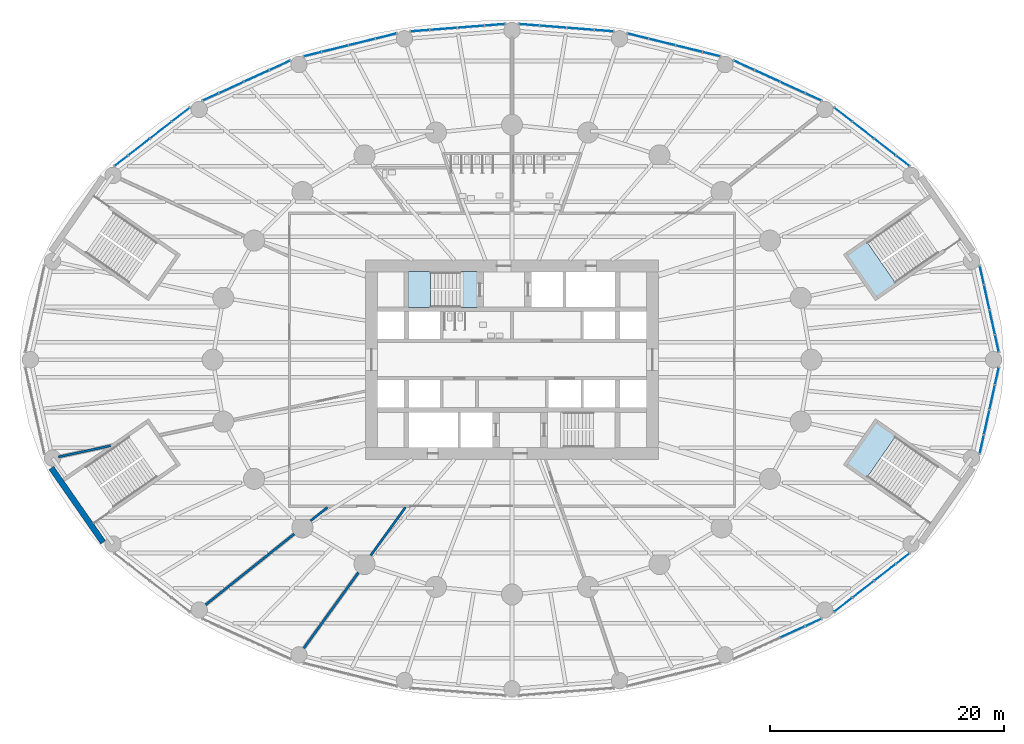
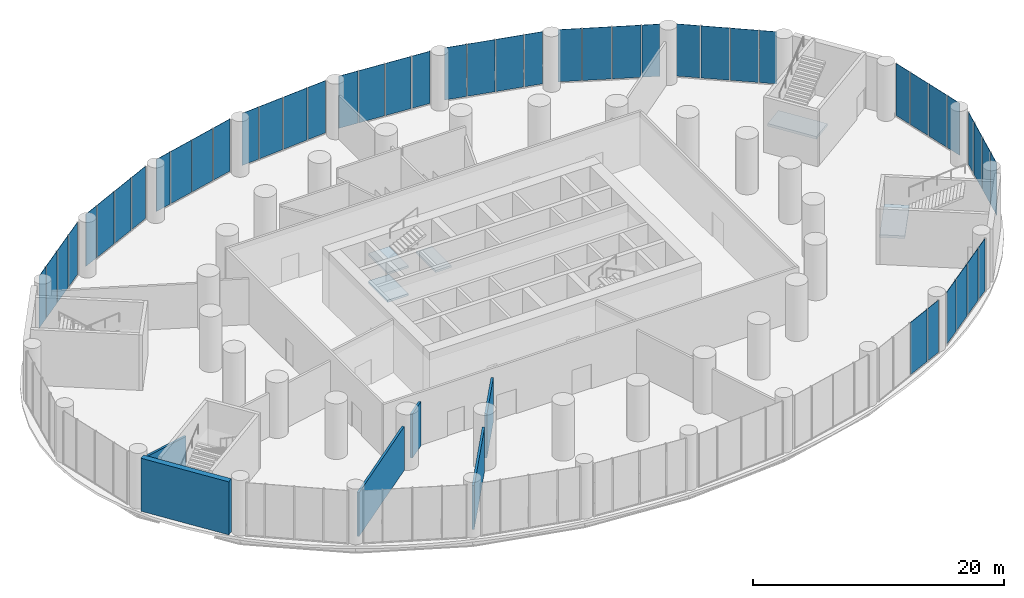
# One storey, part 15 of 21: 46 plates, 6 walls, 5 slabs, 15 elements without a shape of their own.
"""IFC4 building model written with IfcOpenShell, lengths in metres."""

from ifc_helpers import new_model, si_unit, direction, frame, frame_2d, origin, origin_2d, place, context, subcontext, project, spatial, polyline, rectangle, outline, extrude, material, layer, layer_set, type_object, element, aggregate, save


model = new_model("IFC4")

# Units and contexts
model_context = context("Model", 3, precision=1e-05, world=origin(), true_north=direction((0.0, 1.0)))
body_context = subcontext(model_context, "Body", "Model", "MODEL_VIEW")
ifc_project = project(units=[si_unit("LENGTHUNIT", "METRE"), si_unit("AREAUNIT", "SQUARE_METRE"), si_unit("VOLUMEUNIT", "CUBIC_METRE"), si_unit("PLANEANGLEUNIT", "RADIAN"), si_unit("MASSUNIT", "GRAM", prefix="KILO")], contexts=[model_context])

# Site, building, storey
site_placement = place(None, origin())
site = spatial("IfcSite", under=ifc_project, at=site_placement, CompositionType="ELEMENT")
building_placement = place(site_placement, origin())
building = spatial("IfcBuilding", under=site, at=building_placement, Name="Hankou Lantern Tower", CompositionType="ELEMENT")
storey_placement = place(building_placement, frame((0.0, 0.0, 13.800048828125)))
storey = spatial("IfcBuildingStorey", under=building, at=storey_placement, Name="L02", CompositionType="ELEMENT", Elevation=13.800048828125)

# Curtain wall, plates
ifc_material_1 = material(Name="Glass, dark grey tinted laminated", Category="glass")
curtain_wall_type = type_object("IfcCurtainWallType", Name="CWP PODIUM CURTAIN WALL", PredefinedType="USERDEFINED", material=ifc_material_1)
curtain_wall_1_placement = place(storey_placement, origin())
curtain_wall_1 = element("IfcCurtainWall", 1, at=curtain_wall_1_placement, inside=storey, type_object=curtain_wall_type, Name="CWP L02 PC01", ObjectType="PODIUM GLAZING", PredefinedType="USERDEFINED")
ifc_material_2 = material(Name="Glass, dark grey tinted laminated", Category="glass")
ifc_layer_1 = layer(ifc_material_2, 0.037109375)
ifc_layer_set_1 = layer_set([ifc_layer_1], Name="Glass, dark grey tinted laminated")
plate_type = type_object("IfcPlateType", Name="PN2 PODIUM GLASS PANEL", PredefinedType="CURTAIN_PANEL", material=ifc_layer_set_1)
plate_1_placement = place(storey_placement, frame((33.356689453125, 16.977294921875, 0.080078125), z_axis=(0.0, 0.0, 1.0), x_axis=(-0.790129760642, 0.612939606608, 0.0)))
plate_1 = element("IfcPlate", 2, at=plate_1_placement, type_object=plate_type, Name="CWP glass panel 1", PredefinedType="CURTAIN_PANEL", context=body_context, shape_type="SweptSolid", body=[
    extrude(rectangle(XDim=1.409423828125, YDim=0.031982421875, at=origin_2d()), origin(), (0.0, 0.0, 1.0), 5.070068359375),
])
plate_2_placement = place(storey_placement, frame((31.83935546875, 18.154296875, 0.080078125), z_axis=(0.0, 0.0, 1.0), x_axis=(-0.790129760642, 0.612939606608, 0.0)))
plate_2 = element("IfcPlate", 3, at=plate_2_placement, type_object=plate_type, Name="CWP glass panel 2", PredefinedType="CURTAIN_PANEL", context=body_context, shape_type="SweptSolid", body=[
    extrude(rectangle(XDim=2.270751953125, YDim=0.031982421875, at=origin_2d()), origin(), (0.0, 0.0, 1.0), 5.070068359375),
])
plate_3_placement = place(storey_placement, frame((29.98193359375, 19.59521484375, 0.080078125), z_axis=(0.0, 0.0, 1.0), x_axis=(-0.790129760642, 0.612939606608, 0.0)))
plate_3 = element("IfcPlate", 4, at=plate_3_placement, type_object=plate_type, Name="CWP glass panel 3", PredefinedType="CURTAIN_PANEL", context=body_context, shape_type="SweptSolid", body=[
    extrude(rectangle(XDim=2.270751953125, YDim=0.031982421875, at=origin_2d()), origin(), (0.0, 0.0, 1.0), 5.070068359375),
])
plate_4_placement = place(storey_placement, frame((28.27001953125, 20.923095703125, 0.080078125), z_axis=(0.0, 0.0, 1.0), x_axis=(-0.790129760642, 0.612939606608, 0.0)))
plate_4 = element("IfcPlate", 5, at=plate_4_placement, type_object=plate_type, Name="CWP glass panel 4", PredefinedType="CURTAIN_PANEL", context=body_context, shape_type="SweptSolid", body=[
    extrude(rectangle(XDim=1.90234375, YDim=0.031982421875, at=origin_2d()), origin(), (0.0, 0.0, 1.0), 5.070068359375),
])
aggregate(curtain_wall_1, [plate_1, plate_2, plate_3, plate_4])

curtain_wall_2_placement = place(storey_placement, origin())
curtain_wall_2 = element("IfcCurtainWall", 6, at=curtain_wall_2_placement, inside=storey, type_object=curtain_wall_type, Name="CWP L02 PC02", ObjectType="PODIUM GLAZING", PredefinedType="USERDEFINED")
plate_5_placement = place(storey_placement, frame((25.72802734375, 22.4267578125, 0.080078125), z_axis=(0.0, 0.0, 1.0), x_axis=(-0.909669790944, 0.41533224224, 0.0)))
plate_5 = element("IfcPlate", 7, at=plate_5_placement, type_object=plate_type, Name="CWP glass panel 1", PredefinedType="CURTAIN_PANEL", context=body_context, shape_type="SweptSolid", body=[
    extrude(rectangle(XDim=1.445068359375, YDim=0.031982421875, at=origin_2d()), origin(), (0.0, 0.0, 1.0), 5.070068359375),
])
plate_6_placement = place(storey_placement, frame((23.95361328125, 23.23681640625, 0.080078125), z_axis=(0.0, 0.0, 1.0), x_axis=(-0.909669790944, 0.41533224224, 0.0)))
plate_6 = element("IfcPlate", 8, at=plate_6_placement, type_object=plate_type, Name="CWP glass panel 2", PredefinedType="CURTAIN_PANEL", context=body_context, shape_type="SweptSolid", body=[
    extrude(rectangle(XDim=2.2958984375, YDim=0.031982421875, at=origin_2d()), origin(), (0.0, 0.0, 1.0), 5.070068359375),
])
plate_7_placement = place(storey_placement, frame((21.792236328125, 24.2236328125, 0.080078125), z_axis=(0.0, 0.0, 1.0), x_axis=(-0.909669790944, 0.41533224224, 0.0)))
plate_7 = element("IfcPlate", 9, at=plate_7_placement, type_object=plate_type, Name="CWP glass panel 3", PredefinedType="CURTAIN_PANEL", context=body_context, shape_type="SweptSolid", body=[
    extrude(rectangle(XDim=2.2958984375, YDim=0.031982421875, at=origin_2d()), origin(), (0.0, 0.0, 1.0), 5.070068359375),
])
plate_8_placement = place(storey_placement, frame((19.812744140625, 25.12744140625, 0.080078125), z_axis=(0.0, 0.0, 1.0), x_axis=(-0.909669790944, 0.41533224224, 0.0)))
plate_8 = element("IfcPlate", 10, at=plate_8_placement, type_object=plate_type, Name="CWP glass panel 4", PredefinedType="CURTAIN_PANEL", context=body_context, shape_type="SweptSolid", body=[
    extrude(rectangle(XDim=1.896240234375, YDim=0.031982421875, at=origin_2d()), origin(), (0.0, 0.0, 1.0), 5.070068359375),
])
aggregate(curtain_wall_2, [plate_5, plate_6, plate_7, plate_8])

curtain_wall_3_placement = place(storey_placement, origin())
curtain_wall_3 = element("IfcCurtainWall", 11, at=curtain_wall_3_placement, inside=storey, type_object=curtain_wall_type, Name="CWP L02 PC03", ObjectType="PODIUM GLAZING", PredefinedType="USERDEFINED")
plate_9_placement = place(storey_placement, frame((17.02001953125, 26.080810546875, 0.080078125), z_axis=(0.0, 0.0, 1.0), x_axis=(-0.970960955091, 0.239238006364, 0.0)))
plate_9 = element("IfcPlate", 12, at=plate_9_placement, type_object=plate_type, Name="CWP glass panel 1", PredefinedType="CURTAIN_PANEL", context=body_context, shape_type="SweptSolid", body=[
    extrude(rectangle(XDim=1.497314453125, YDim=0.031982421875, at=origin_2d()), origin(), (0.0, 0.0, 1.0), 5.070068359375),
])
plate_10_placement = place(storey_placement, frame((15.1064453125, 26.552490234375, 0.080078125), z_axis=(0.0, 0.0, 1.0), x_axis=(-0.970960955091, 0.239238006364, 0.0)))
plate_10 = element("IfcPlate", 13, at=plate_10_placement, type_object=plate_type, Name="CWP glass panel 2", PredefinedType="CURTAIN_PANEL", context=body_context, shape_type="SweptSolid", body=[
    extrude(rectangle(XDim=2.284423828125, YDim=0.031982421875, at=origin_2d()), origin(), (0.0, 0.0, 1.0), 5.070068359375),
])
plate_11_placement = place(storey_placement, frame((12.810791015625, 27.1181640625, 0.080078125), z_axis=(0.0, 0.0, 1.0), x_axis=(-0.970960955091, 0.239238006364, 0.0)))
plate_11 = element("IfcPlate", 14, at=plate_11_placement, type_object=plate_type, Name="CWP glass panel 3", PredefinedType="CURTAIN_PANEL", context=body_context, shape_type="SweptSolid", body=[
    extrude(rectangle(XDim=2.284423828125, YDim=0.031982421875, at=origin_2d()), origin(), (0.0, 0.0, 1.0), 5.070068359375),
])
plate_12_placement = place(storey_placement, frame((10.74658203125, 27.626708984375, 0.080078125), z_axis=(0.0, 0.0, 1.0), x_axis=(-0.970960955091, 0.239238006364, 0.0)))
plate_12 = element("IfcPlate", 15, at=plate_12_placement, type_object=plate_type, Name="CWP glass panel 4", PredefinedType="CURTAIN_PANEL", context=body_context, shape_type="SweptSolid", body=[
    extrude(rectangle(XDim=1.80712890625, YDim=0.031982421875, at=origin_2d()), origin(), (0.0, 0.0, 1.0), 5.070068359375),
])
aggregate(curtain_wall_3, [plate_9, plate_10, plate_11, plate_12])

curtain_wall_4_placement = place(storey_placement, origin())
curtain_wall_4 = element("IfcCurtainWall", 16, at=curtain_wall_4_placement, inside=storey, type_object=curtain_wall_type, Name="CWP L02 PC04", ObjectType="PODIUM GLAZING", PredefinedType="USERDEFINED")
plate_13_placement = place(storey_placement, frame((7.85205078125, 28.085205078125, 0.080078125), z_axis=(0.0, 0.0, 1.0), x_axis=(-0.996948515213, 0.078061885796, 0.0)))
plate_13 = element("IfcPlate", 17, at=plate_13_placement, type_object=plate_type, Name="CWP glass panel 1", PredefinedType="CURTAIN_PANEL", context=body_context, shape_type="SweptSolid", body=[
    extrude(rectangle(XDim=1.57861328125, YDim=0.031982421875, at=origin_2d()), origin(), (0.0, 0.0, 1.0), 5.070068359375),
])
plate_14_placement = place(storey_placement, frame((5.8544921875, 28.24169921875, 0.080078125), z_axis=(0.0, 0.0, 1.0), x_axis=(-0.996948515213, 0.078061885796, 0.0)))
plate_14 = element("IfcPlate", 18, at=plate_14_placement, type_object=plate_type, Name="CWP glass panel 2", PredefinedType="CURTAIN_PANEL", context=body_context, shape_type="SweptSolid", body=[
    extrude(rectangle(XDim=2.26904296875, YDim=0.031982421875, at=origin_2d()), origin(), (0.0, 0.0, 1.0), 5.070068359375),
])
plate_15_placement = place(storey_placement, frame((3.5126953125, 28.425048828125, 0.080078125), z_axis=(0.0, 0.0, 1.0), x_axis=(-0.996948515213, 0.078061885796, 0.0)))
plate_15 = element("IfcPlate", 19, at=plate_15_placement, type_object=plate_type, Name="CWP glass panel 3", PredefinedType="CURTAIN_PANEL", context=body_context, shape_type="SweptSolid", body=[
    extrude(rectangle(XDim=2.26904296875, YDim=0.031982421875, at=origin_2d()), origin(), (0.0, 0.0, 1.0), 5.070068359375),
])
plate_16_placement = place(storey_placement, frame((1.460205078125, 28.585693359375, 0.080078125), z_axis=(0.0, 0.0, 1.0), x_axis=(-0.996948515213, 0.078061885796, 0.0)))
plate_16 = element("IfcPlate", 20, at=plate_16_placement, type_object=plate_type, Name="CWP glass panel 4", PredefinedType="CURTAIN_PANEL", context=body_context, shape_type="SweptSolid", body=[
    extrude(rectangle(XDim=1.688232421875, YDim=0.031982421875, at=origin_2d()), origin(), (0.0, 0.0, 1.0), 5.070068359375),
])
aggregate(curtain_wall_4, [plate_13, plate_14, plate_15, plate_16])

curtain_wall_5_placement = place(storey_placement, origin())
curtain_wall_5 = element("IfcCurtainWall", 21, at=curtain_wall_5_placement, inside=storey, type_object=curtain_wall_type, Name="CWP L02 PC05", ObjectType="PODIUM GLAZING", PredefinedType="USERDEFINED")
plate_17_placement = place(storey_placement, frame((-1.460205078125, 28.585693359375, 0.080078125), z_axis=(0.0, 0.0, 1.0), x_axis=(-0.996948515213, -0.078061885796, 0.0)))
plate_17 = element("IfcPlate", 22, at=plate_17_placement, type_object=plate_type, Name="CWP glass panel 1", PredefinedType="CURTAIN_PANEL", context=body_context, shape_type="SweptSolid", body=[
    extrude(rectangle(XDim=1.688232421875, YDim=0.031982421875, at=origin_2d()), origin(), (0.0, 0.0, 1.0), 5.070068359375),
])
plate_18_placement = place(storey_placement, frame((-3.5126953125, 28.425048828125, 0.080078125), z_axis=(0.0, 0.0, 1.0), x_axis=(-0.996948515213, -0.078061885796, 0.0)))
plate_18 = element("IfcPlate", 23, at=plate_18_placement, type_object=plate_type, Name="CWP glass panel 2", PredefinedType="CURTAIN_PANEL", context=body_context, shape_type="SweptSolid", body=[
    extrude(rectangle(XDim=2.26904296875, YDim=0.031982421875, at=origin_2d()), origin(), (0.0, 0.0, 1.0), 5.070068359375),
])
plate_19_placement = place(storey_placement, frame((-5.8544921875, 28.24169921875, 0.080078125), z_axis=(0.0, 0.0, 1.0), x_axis=(-0.996948515213, -0.078061885796, 0.0)))
plate_19 = element("IfcPlate", 24, at=plate_19_placement, type_object=plate_type, Name="CWP glass panel 3", PredefinedType="CURTAIN_PANEL", context=body_context, shape_type="SweptSolid", body=[
    extrude(rectangle(XDim=2.26904296875, YDim=0.031982421875, at=origin_2d()), origin(), (0.0, 0.0, 1.0), 5.070068359375),
])
plate_20_placement = place(storey_placement, frame((-7.85205078125, 28.085205078125, 0.080078125), z_axis=(0.0, 0.0, 1.0), x_axis=(-0.996948515213, -0.078061885796, 0.0)))
plate_20 = element("IfcPlate", 25, at=plate_20_placement, type_object=plate_type, Name="CWP glass panel 4", PredefinedType="CURTAIN_PANEL", context=body_context, shape_type="SweptSolid", body=[
    extrude(rectangle(XDim=1.57861328125, YDim=0.031982421875, at=origin_2d()), origin(), (0.0, 0.0, 1.0), 5.070068359375),
])
aggregate(curtain_wall_5, [plate_17, plate_18, plate_19, plate_20])

curtain_wall_6_placement = place(storey_placement, origin())
curtain_wall_6 = element("IfcCurtainWall", 26, at=curtain_wall_6_placement, inside=storey, type_object=curtain_wall_type, Name="CWP L02 PC06", ObjectType="PODIUM GLAZING", PredefinedType="USERDEFINED")
plate_21_placement = place(storey_placement, frame((-10.74658203125, 27.626708984375, 0.080078125), z_axis=(0.0, 0.0, 1.0), x_axis=(-0.970960955091, -0.239238006364, 0.0)))
plate_21 = element("IfcPlate", 27, at=plate_21_placement, type_object=plate_type, Name="CWP glass panel 1", PredefinedType="CURTAIN_PANEL", context=body_context, shape_type="SweptSolid", body=[
    extrude(rectangle(XDim=1.80712890625, YDim=0.031982421875, at=origin_2d()), origin(), (0.0, 0.0, 1.0), 5.070068359375),
])
plate_22_placement = place(storey_placement, frame((-12.810791015625, 27.1181640625, 0.080078125), z_axis=(0.0, 0.0, 1.0), x_axis=(-0.970960955091, -0.239238006364, 0.0)))
plate_22 = element("IfcPlate", 28, at=plate_22_placement, type_object=plate_type, Name="CWP glass panel 2", PredefinedType="CURTAIN_PANEL", context=body_context, shape_type="SweptSolid", body=[
    extrude(rectangle(XDim=2.284423828125, YDim=0.031982421875, at=origin_2d()), origin(), (0.0, 0.0, 1.0), 5.070068359375),
])
plate_23_placement = place(storey_placement, frame((-15.1064453125, 26.552490234375, 0.080078125), z_axis=(0.0, 0.0, 1.0), x_axis=(-0.970960955091, -0.239238006364, 0.0)))
plate_23 = element("IfcPlate", 29, at=plate_23_placement, type_object=plate_type, Name="CWP glass panel 3", PredefinedType="CURTAIN_PANEL", context=body_context, shape_type="SweptSolid", body=[
    extrude(rectangle(XDim=2.284423828125, YDim=0.031982421875, at=origin_2d()), origin(), (0.0, 0.0, 1.0), 5.070068359375),
])
plate_24_placement = place(storey_placement, frame((-17.02001953125, 26.080810546875, 0.080078125), z_axis=(0.0, 0.0, 1.0), x_axis=(-0.970960955091, -0.239238006364, 0.0)))
plate_24 = element("IfcPlate", 30, at=plate_24_placement, type_object=plate_type, Name="CWP glass panel 4", PredefinedType="CURTAIN_PANEL", context=body_context, shape_type="SweptSolid", body=[
    extrude(rectangle(XDim=1.497314453125, YDim=0.031982421875, at=origin_2d()), origin(), (0.0, 0.0, 1.0), 5.070068359375),
])
aggregate(curtain_wall_6, [plate_21, plate_22, plate_23, plate_24])

curtain_wall_7_placement = place(storey_placement, origin())
curtain_wall_7 = element("IfcCurtainWall", 31, at=curtain_wall_7_placement, inside=storey, type_object=curtain_wall_type, Name="CWP L02 PC07", ObjectType="PODIUM GLAZING", PredefinedType="USERDEFINED")
plate_25_placement = place(storey_placement, frame((-19.812744140625, 25.12744140625, 0.080078125), z_axis=(0.0, 0.0, 1.0), x_axis=(-0.909669790944, -0.41533224224, 0.0)))
plate_25 = element("IfcPlate", 32, at=plate_25_placement, type_object=plate_type, Name="CWP glass panel 1", PredefinedType="CURTAIN_PANEL", context=body_context, shape_type="SweptSolid", body=[
    extrude(rectangle(XDim=1.896240234375, YDim=0.031982421875, at=origin_2d()), origin(), (0.0, 0.0, 1.0), 5.070068359375),
])
plate_26_placement = place(storey_placement, frame((-21.792236328125, 24.2236328125, 0.080078125), z_axis=(0.0, 0.0, 1.0), x_axis=(-0.909669790944, -0.41533224224, 0.0)))
plate_26 = element("IfcPlate", 33, at=plate_26_placement, type_object=plate_type, Name="CWP glass panel 2", PredefinedType="CURTAIN_PANEL", context=body_context, shape_type="SweptSolid", body=[
    extrude(rectangle(XDim=2.2958984375, YDim=0.031982421875, at=origin_2d()), origin(), (0.0, 0.0, 1.0), 5.070068359375),
])
plate_27_placement = place(storey_placement, frame((-23.95361328125, 23.23681640625, 0.080078125), z_axis=(0.0, 0.0, 1.0), x_axis=(-0.909669790944, -0.41533224224, 0.0)))
plate_27 = element("IfcPlate", 34, at=plate_27_placement, type_object=plate_type, Name="CWP glass panel 3", PredefinedType="CURTAIN_PANEL", context=body_context, shape_type="SweptSolid", body=[
    extrude(rectangle(XDim=2.2958984375, YDim=0.031982421875, at=origin_2d()), origin(), (0.0, 0.0, 1.0), 5.070068359375),
])
plate_28_placement = place(storey_placement, frame((-25.72802734375, 22.4267578125, 0.080078125), z_axis=(0.0, 0.0, 1.0), x_axis=(-0.909669790944, -0.41533224224, 0.0)))
plate_28 = element("IfcPlate", 35, at=plate_28_placement, type_object=plate_type, Name="CWP glass panel 4", PredefinedType="CURTAIN_PANEL", context=body_context, shape_type="SweptSolid", body=[
    extrude(rectangle(XDim=1.445068359375, YDim=0.031982421875, at=origin_2d()), origin(), (0.0, 0.0, 1.0), 5.070068359375),
])
aggregate(curtain_wall_7, [plate_25, plate_26, plate_27, plate_28])

curtain_wall_8_placement = place(storey_placement, origin())
curtain_wall_8 = element("IfcCurtainWall", 36, at=curtain_wall_8_placement, inside=storey, type_object=curtain_wall_type, Name="CWP L02 PC08", ObjectType="PODIUM GLAZING", PredefinedType="USERDEFINED")
plate_29_placement = place(storey_placement, frame((-28.27001953125, 20.923095703125, 0.080078125), z_axis=(0.0, 0.0, 1.0), x_axis=(-0.790129760642, -0.612939606608, 0.0)))
plate_29 = element("IfcPlate", 37, at=plate_29_placement, type_object=plate_type, Name="CWP glass panel 1", PredefinedType="CURTAIN_PANEL", context=body_context, shape_type="SweptSolid", body=[
    extrude(rectangle(XDim=1.90234375, YDim=0.031982421875, at=origin_2d()), origin(), (0.0, 0.0, 1.0), 5.070068359375),
])
plate_30_placement = place(storey_placement, frame((-29.98193359375, 19.59521484375, 0.080078125), z_axis=(0.0, 0.0, 1.0), x_axis=(-0.790129760642, -0.612939606608, 0.0)))
plate_30 = element("IfcPlate", 38, at=plate_30_placement, type_object=plate_type, Name="CWP glass panel 2", PredefinedType="CURTAIN_PANEL", context=body_context, shape_type="SweptSolid", body=[
    extrude(rectangle(XDim=2.270751953125, YDim=0.031982421875, at=origin_2d()), origin(), (0.0, 0.0, 1.0), 5.070068359375),
])
plate_31_placement = place(storey_placement, frame((-31.83935546875, 18.154296875, 0.080078125), z_axis=(0.0, 0.0, 1.0), x_axis=(-0.790129760642, -0.612939606608, 0.0)))
plate_31 = element("IfcPlate", 39, at=plate_31_placement, type_object=plate_type, Name="CWP glass panel 3", PredefinedType="CURTAIN_PANEL", context=body_context, shape_type="SweptSolid", body=[
    extrude(rectangle(XDim=2.270751953125, YDim=0.031982421875, at=origin_2d()), origin(), (0.0, 0.0, 1.0), 5.070068359375),
])
plate_32_placement = place(storey_placement, frame((-33.356689453125, 16.977294921875, 0.080078125), z_axis=(0.0, 0.0, 1.0), x_axis=(-0.790129760642, -0.612939606608, 0.0)))
plate_32 = element("IfcPlate", 40, at=plate_32_placement, type_object=plate_type, Name="CWP glass panel 4", PredefinedType="CURTAIN_PANEL", context=body_context, shape_type="SweptSolid", body=[
    extrude(rectangle(XDim=1.409423828125, YDim=0.031982421875, at=origin_2d()), origin(), (0.0, 0.0, 1.0), 5.070068359375),
])
aggregate(curtain_wall_8, [plate_29, plate_30, plate_31, plate_32])

curtain_wall_9_placement = place(storey_placement, origin())
curtain_wall_9 = element("IfcCurtainWall", 41, at=curtain_wall_9_placement, inside=storey, type_object=curtain_wall_type, Name="CWP L02 PC17", ObjectType="PODIUM GLAZING", PredefinedType="USERDEFINED")
plate_33_placement = place(storey_placement, frame((23.95361328125, -23.23681640625, 0.080078125), z_axis=(0.0, 0.0, 1.0), x_axis=(0.909669790944, 0.41533224224, 0.0)))
plate_33 = element("IfcPlate", 42, at=plate_33_placement, type_object=plate_type, Name="CWP glass panel 3", PredefinedType="CURTAIN_PANEL", context=body_context, shape_type="SweptSolid", body=[
    extrude(rectangle(XDim=2.2958984375, YDim=0.031982421875, at=origin_2d()), origin(), (0.0, 0.0, 1.0), 5.070068359375),
])
plate_34_placement = place(storey_placement, frame((25.72802734375, -22.4267578125, 0.080078125), z_axis=(0.0, 0.0, 1.0), x_axis=(0.909669790944, 0.41533224224, 0.0)))
plate_34 = element("IfcPlate", 43, at=plate_34_placement, type_object=plate_type, Name="CWP glass panel 4", PredefinedType="CURTAIN_PANEL", context=body_context, shape_type="SweptSolid", body=[
    extrude(rectangle(XDim=1.445068359375, YDim=0.031982421875, at=origin_2d()), origin(), (0.0, 0.0, 1.0), 5.070068359375),
])
aggregate(curtain_wall_9, [plate_33, plate_34])

curtain_wall_10_placement = place(storey_placement, origin())
curtain_wall_10 = element("IfcCurtainWall", 44, at=curtain_wall_10_placement, inside=storey, type_object=curtain_wall_type, Name="CWP L02 PC18", ObjectType="PODIUM GLAZING", PredefinedType="USERDEFINED")
plate_35_placement = place(storey_placement, frame((28.27001953125, -20.923095703125, 0.080078125), z_axis=(0.0, 0.0, 1.0), x_axis=(0.790129760642, 0.612939606608, 0.0)))
plate_35 = element("IfcPlate", 45, at=plate_35_placement, type_object=plate_type, Name="CWP glass panel 1", PredefinedType="CURTAIN_PANEL", context=body_context, shape_type="SweptSolid", body=[
    extrude(rectangle(XDim=1.90234375, YDim=0.031982421875, at=origin_2d()), origin(), (0.0, 0.0, 1.0), 5.070068359375),
])
plate_36_placement = place(storey_placement, frame((29.98193359375, -19.59521484375, 0.080078125), z_axis=(0.0, 0.0, 1.0), x_axis=(0.790129760642, 0.612939606608, 0.0)))
plate_36 = element("IfcPlate", 46, at=plate_36_placement, type_object=plate_type, Name="CWP glass panel 2", PredefinedType="CURTAIN_PANEL", context=body_context, shape_type="SweptSolid", body=[
    extrude(rectangle(XDim=2.270751953125, YDim=0.031982421875, at=origin_2d()), origin(), (0.0, 0.0, 1.0), 5.070068359375),
])
plate_37_placement = place(storey_placement, frame((31.83935546875, -18.154296875, 0.080078125), z_axis=(0.0, 0.0, 1.0), x_axis=(0.790129760642, 0.612939606608, 0.0)))
plate_37 = element("IfcPlate", 47, at=plate_37_placement, type_object=plate_type, Name="CWP glass panel 3", PredefinedType="CURTAIN_PANEL", context=body_context, shape_type="SweptSolid", body=[
    extrude(rectangle(XDim=2.270751953125, YDim=0.031982421875, at=origin_2d()), origin(), (0.0, 0.0, 1.0), 5.070068359375),
])
plate_38_placement = place(storey_placement, frame((33.356689453125, -16.977294921875, 0.080078125), z_axis=(0.0, 0.0, 1.0), x_axis=(0.790129760642, 0.612939606608, 0.0)))
plate_38 = element("IfcPlate", 48, at=plate_38_placement, type_object=plate_type, Name="CWP glass panel 4", PredefinedType="CURTAIN_PANEL", context=body_context, shape_type="SweptSolid", body=[
    extrude(rectangle(XDim=1.409423828125, YDim=0.031982421875, at=origin_2d()), origin(), (0.0, 0.0, 1.0), 5.070068359375),
])
aggregate(curtain_wall_10, [plate_35, plate_36, plate_37, plate_38])

curtain_wall_11_placement = place(storey_placement, origin())
curtain_wall_11 = element("IfcCurtainWall", 49, at=curtain_wall_11_placement, inside=storey, type_object=curtain_wall_type, Name="CWP L02 PC19", ObjectType="PODIUM GLAZING", PredefinedType="USERDEFINED")
plate_39_placement = place(storey_placement, frame((40.105224609375, -7.214599609375, 0.080078125), z_axis=(0.0, 0.0, 1.0), x_axis=(0.215821488116, 0.976432837049, 0.0)))
plate_39 = element("IfcPlate", 50, at=plate_39_placement, type_object=plate_type, Name="CWP glass panel 1", PredefinedType="CURTAIN_PANEL", context=body_context, shape_type="SweptSolid", body=[
    extrude(rectangle(XDim=1.5869140625, YDim=0.031982421875, at=origin_2d()), origin(), (0.0, 0.0, 1.0), 5.070068359375),
])
plate_40_placement = place(storey_placement, frame((40.52099609375, -5.333984375, 0.080078125), z_axis=(0.0, 0.0, 1.0), x_axis=(0.215821488116, 0.976432837049, 0.0)))
plate_40 = element("IfcPlate", 51, at=plate_40_placement, type_object=plate_type, Name="CWP glass panel 2", PredefinedType="CURTAIN_PANEL", context=body_context, shape_type="SweptSolid", body=[
    extrude(rectangle(XDim=2.105224609375, YDim=0.031982421875, at=origin_2d()), origin(), (0.0, 0.0, 1.0), 5.070068359375),
])
plate_41_placement = place(storey_placement, frame((40.99267578125, -3.200439453125, 0.080078125), z_axis=(0.0, 0.0, 1.0), x_axis=(0.215821488116, 0.976432837049, 0.0)))
plate_41 = element("IfcPlate", 52, at=plate_41_placement, type_object=plate_type, Name="CWP glass panel 3", PredefinedType="CURTAIN_PANEL", context=body_context, shape_type="SweptSolid", body=[
    extrude(rectangle(XDim=2.105224609375, YDim=0.031982421875, at=origin_2d()), origin(), (0.0, 0.0, 1.0), 5.070068359375),
])
plate_42_placement = place(storey_placement, frame((41.391357421875, -1.396484375, 0.080078125), z_axis=(0.0, 0.0, 1.0), x_axis=(0.215821488116, 0.976432837049, 0.0)))
plate_42 = element("IfcPlate", 53, at=plate_42_placement, type_object=plate_type, Name="CWP glass panel 4", PredefinedType="CURTAIN_PANEL", context=body_context, shape_type="SweptSolid", body=[
    extrude(rectangle(XDim=1.4296875, YDim=0.031982421875, at=origin_2d()), origin(), (0.0, 0.0, 1.0), 5.070068359375),
])
aggregate(curtain_wall_11, [plate_39, plate_40, plate_41, plate_42])

curtain_wall_12_placement = place(storey_placement, origin())
curtain_wall_12 = element("IfcCurtainWall", 54, at=curtain_wall_12_placement, inside=storey, type_object=curtain_wall_type, Name="CWP L02 PC20", ObjectType="PODIUM GLAZING", PredefinedType="USERDEFINED")
plate_43_placement = place(storey_placement, frame((41.391357421875, 1.396484375, 0.080078125), z_axis=(0.0, 0.0, 1.0), x_axis=(-0.215821488116, 0.976432837049, 0.0)))
plate_43 = element("IfcPlate", 55, at=plate_43_placement, type_object=plate_type, Name="CWP glass panel 1", PredefinedType="CURTAIN_PANEL", context=body_context, shape_type="SweptSolid", body=[
    extrude(rectangle(XDim=1.4296875, YDim=0.031982421875, at=origin_2d()), origin(), (0.0, 0.0, 1.0), 5.070068359375),
])
plate_44_placement = place(storey_placement, frame((40.99267578125, 3.200439453125, 0.080078125), z_axis=(0.0, 0.0, 1.0), x_axis=(-0.215821488116, 0.976432837049, 0.0)))
plate_44 = element("IfcPlate", 56, at=plate_44_placement, type_object=plate_type, Name="CWP glass panel 2", PredefinedType="CURTAIN_PANEL", context=body_context, shape_type="SweptSolid", body=[
    extrude(rectangle(XDim=2.105224609375, YDim=0.031982421875, at=origin_2d()), origin(), (0.0, 0.0, 1.0), 5.070068359375),
])
plate_45_placement = place(storey_placement, frame((40.52099609375, 5.333984375, 0.080078125), z_axis=(0.0, 0.0, 1.0), x_axis=(-0.215821488116, 0.976432837049, 0.0)))
plate_45 = element("IfcPlate", 57, at=plate_45_placement, type_object=plate_type, Name="CWP glass panel 3", PredefinedType="CURTAIN_PANEL", context=body_context, shape_type="SweptSolid", body=[
    extrude(rectangle(XDim=2.105224609375, YDim=0.031982421875, at=origin_2d()), origin(), (0.0, 0.0, 1.0), 5.070068359375),
])
plate_46_placement = place(storey_placement, frame((40.105224609375, 7.214599609375, 0.080078125), z_axis=(0.0, 0.0, 1.0), x_axis=(-0.215821488116, 0.976432837049, 0.0)))
plate_46 = element("IfcPlate", 58, at=plate_46_placement, type_object=plate_type, Name="CWP glass panel 4", PredefinedType="CURTAIN_PANEL", context=body_context, shape_type="SweptSolid", body=[
    extrude(rectangle(XDim=1.5869140625, YDim=0.031982421875, at=origin_2d()), origin(), (0.0, 0.0, 1.0), 5.070068359375),
])
aggregate(curtain_wall_12, [plate_43, plate_44, plate_45, plate_46])

# Stair, slabs
ifc_material_3 = material(Name="Concrete C40", Category="concrete")
stair_type_1 = type_object("IfcStairType", Name="ST54 CORE STAIR 5400 RISE", PredefinedType="HALF_TURN_STAIR", material=ifc_material_3)
stair_1_placement = place(storey_placement, origin())
stair_1 = element("IfcStair", 59, at=stair_1_placement, inside=storey, type_object=stair_type_1, Name="Stair STA L02", PredefinedType="HALF_TURN_STAIR")
ifc_material_4 = material(Name="Concrete C40", Category="concrete")
ifc_layer_2 = layer(ifc_material_4, 0.199951171875)
ifc_layer_set_2 = layer_set([ifc_layer_2], Name="Concrete C40")
slab_type_1 = type_object("IfcSlabType", Name="SL1 STAIR LANDING 200", PredefinedType="LANDING", material=ifc_layer_set_2)
slab_1_placement = place(storey_placement, frame((0.0, 0.0, 1.14990234375)))
slab_1 = element("IfcSlab", 60, at=slab_1_placement, type_object=slab_type_1, Name="STA landing 1", PredefinedType="LANDING", context=body_context, shape_type="SweptSolid", body=[
    extrude(outline(polyline([(-8.85009765625, 4.449951171875), (-6.949951171875, 4.449951171875), (-6.949951171875, 7.550048828125), (-8.85009765625, 7.550048828125), (-8.85009765625, 4.449951171875)])), origin(), (0.0, 0.0, 1.0), 0.199951171875),
])
slab_2_placement = place(storey_placement, frame((0.0, 0.0, 2.5)))
slab_2 = element("IfcSlab", 61, at=slab_2_placement, type_object=slab_type_1, Name="STA landing 2", PredefinedType="LANDING", context=body_context, shape_type="SweptSolid", body=[
    extrude(outline(polyline([(-4.449951171875, 4.449951171875), (-3.0, 4.449951171875), (-3.0, 7.550048828125), (-4.449951171875, 7.550048828125), (-4.449951171875, 4.449951171875)])), origin(), (0.0, 0.0, 1.0), 0.199951171875),
])
slab_3_placement = place(storey_placement, frame((0.0, 0.0, 3.849853515625)))
slab_3 = element("IfcSlab", 62, at=slab_3_placement, type_object=slab_type_1, Name="STA landing 3", PredefinedType="LANDING", context=body_context, shape_type="SweptSolid", body=[
    extrude(outline(polyline([(-8.85009765625, 4.449951171875), (-6.949951171875, 4.449951171875), (-6.949951171875, 7.550048828125), (-8.85009765625, 7.550048828125), (-8.85009765625, 4.449951171875)])), origin(), (0.0, 0.0, 1.0), 0.2001953125),
])
aggregate(stair_1, [slab_1, slab_2, slab_3])

# Stair, slab
ifc_material_5 = material(Name="Concrete C40", Category="concrete")
stair_type_2 = type_object("IfcStairType", Name="PS54 PODIUM STAIR 5400 RISE", PredefinedType="HALF_TURN_STAIR", material=ifc_material_5)
stair_2_placement = place(storey_placement, origin())
stair_2 = element("IfcStair", 63, at=stair_2_placement, inside=storey, type_object=stair_type_2, Name="Stair P1 L02", PredefinedType="HALF_TURN_STAIR")
ifc_material_6 = material(Name="Concrete C40", Category="concrete")
ifc_layer_3 = layer(ifc_material_6, 0.25)
ifc_layer_set_3 = layer_set([ifc_layer_3], Name="Concrete C40")
slab_type_2 = type_object("IfcSlabType", Name="SL2 PODIUM STAIR LANDING 250", PredefinedType="LANDING", material=ifc_layer_set_3)
slab_4_placement = place(storey_placement, frame((0.0, 0.0, 2.449951171875)))
slab_4 = element("IfcSlab", 64, at=slab_4_placement, type_object=slab_type_2, Name="P1 landing 1", PredefinedType="LANDING", context=body_context, shape_type="SweptSolid", body=[
    extrude(outline(polyline([(32.75, 6.53564453125), (30.294677734375, 10.065673828125), (28.636474609375, 8.912109375), (31.091796875, 5.382080078125), (32.75, 6.53564453125)])), origin(), (0.0, 0.0, 1.0), 0.25),
])
aggregate(stair_2, [slab_4])

stair_3_placement = place(storey_placement, origin())
stair_3 = element("IfcStair", 65, at=stair_3_placement, inside=storey, type_object=stair_type_2, Name="Stair P4 L02", PredefinedType="HALF_TURN_STAIR")
slab_5_placement = place(storey_placement, frame((0.0, 0.0, 2.449951171875)))
slab_5 = element("IfcSlab", 66, at=slab_5_placement, type_object=slab_type_2, Name="P4 landing 1", PredefinedType="LANDING", context=body_context, shape_type="SweptSolid", body=[
    extrude(outline(polyline([(30.294677734375, -10.065673828125), (32.75, -6.53564453125), (31.091796875, -5.382080078125), (28.636474609375, -8.912109375), (30.294677734375, -10.065673828125)])), origin(), (0.0, 0.0, 1.0), 0.25),
])
aggregate(stair_3, [slab_5])

# Walls
ifc_material_7 = material(Name="Granite cladding on reinforced concrete C50", Category="masonry")
ifc_layer_4 = layer(ifc_material_7, 0.5)
ifc_layer_set_4 = layer_set([ifc_layer_4], Name="Granite cladding on reinforced concrete C50")
wall_type_1 = type_object("IfcWallType", Name="EW2 STONE PORTAL WALL 500", PredefinedType="SOLIDWALL", material=ifc_layer_set_4)
wall_1_placement = place(storey_placement, frame((-39.3203125, -9.24365234375, 0.0), z_axis=(0.0, 0.0, 1.0), x_axis=(0.571029335057, -0.820929655028, 0.0)))
element("IfcWall", 67, at=wall_1_placement, inside=storey, type_object=wall_type_1, Name="Portal wall R14 L02", PredefinedType="SOLIDWALL", context=body_context, shape_type="SweptSolid", body=[
    extrude(rectangle(XDim=7.732666015625, YDim=0.5, at=frame_2d((3.8662109375, 0.0))), origin(), (0.0, 0.0, 1.0), 5.14990234375),
])
ifc_material_8 = material(Name="Masonry dense concrete block", Category="masonry")
ifc_layer_5 = layer(ifc_material_8, 0.199951171875)
ifc_layer_set_5 = layer_set([ifc_layer_5], Name="Masonry dense concrete block")
wall_type_2 = type_object("IfcWallType", Name="FW1 COMPARTMENT FIRE WALL 200", PredefinedType="PARTITIONING", material=ifc_layer_set_5)
wall_2_placement = place(storey_placement, frame((-34.263427734375, -7.3447265625, 0.0), z_axis=(0.0, 0.0, 1.0), x_axis=(-0.977794589892, -0.209565598271, 0.0)))
element("IfcWall", 68, at=wall_2_placement, inside=storey, type_object=wall_type_2, Name="Fire wall R14", PredefinedType="PARTITIONING", context=body_context, shape_type="SweptSolid", body=[
    extrude(rectangle(XDim=4.566650390625, YDim=0.199951171875, at=frame_2d((2.283203125, 0.0))), origin(), (0.0, 0.0, 1.0), 4.25),
])
ifc_material_9 = material(Name="Masonry lightweight concrete block", Category="masonry")
ifc_layer_6 = layer(ifc_material_9, 0.199951171875)
ifc_layer_set_6 = layer_set([ifc_layer_6], Name="Masonry lightweight concrete block")
wall_type_3 = type_object("IfcWallType", Name="IW8 PARTITION 200", PredefinedType="PARTITIONING", material=ifc_layer_set_6)
wall_3_placement = place(storey_placement, frame((-15.75, -12.60009765625, 0.0), z_axis=(0.0, 0.0, 1.0), x_axis=(-0.780881734892, -0.6246788904, 0.0)))
element("IfcWall", 69, at=wall_3_placement, inside=storey, type_object=wall_type_3, Name="Partition R16", PredefinedType="PARTITIONING", context=body_context, shape_type="SweptSolid", body=[
    extrude(rectangle(XDim=1.8427734375, YDim=0.199951171875, at=frame_2d((0.92138671875, 0.0))), origin(), (0.0, 0.0, 1.0), 4.300048828125),
])
wall_4_placement = place(storey_placement, frame((-18.594482421875, -14.87548828125, 0.0), z_axis=(0.0, 0.0, 1.0), x_axis=(-0.780868809443, -0.624695047554, 0.0)))
element("IfcWall", 70, at=wall_4_placement, inside=storey, type_object=wall_type_3, Name="Partition R16", PredefinedType="PARTITIONING", context=body_context, shape_type="SweptSolid", body=[
    extrude(rectangle(XDim=9.883056640625, YDim=0.199951171875, at=frame_2d((4.94140625, 0.0))), origin(), (0.0, 0.0, 1.0), 4.25),
])
wall_5_placement = place(storey_placement, frame((-9.09326171875, -12.60009765625, 0.0), z_axis=(0.0, 0.0, 1.0), x_axis=(-0.58522538525, -0.810870673079, 0.0)))
element("IfcWall", 71, at=wall_5_placement, inside=storey, type_object=wall_type_3, Name="Partition R17", PredefinedType="PARTITIONING", context=body_context, shape_type="SweptSolid", body=[
    extrude(rectangle(XDim=5.07666015625, YDim=0.199951171875, at=frame_2d((2.538330078125, 0.0))), origin(), (0.0, 0.0, 1.0), 4.300048828125),
])
wall_6_placement = place(storey_placement, frame((-13.11767578125, -18.17626953125, 0.0), z_axis=(0.0, 0.0, 1.0), x_axis=(-0.585204349301, -0.810885854828, 0.0)))
element("IfcWall", 72, at=wall_6_placement, inside=storey, type_object=wall_type_3, Name="Partition R17", PredefinedType="PARTITIONING", context=body_context, shape_type="SweptSolid", body=[
    extrude(rectangle(XDim=8.1611328125, YDim=0.199951171875, at=frame_2d((4.08056640625, 0.0))), origin(), (0.0, 0.0, 1.0), 4.25),
])

save(model, "model.ifc")
